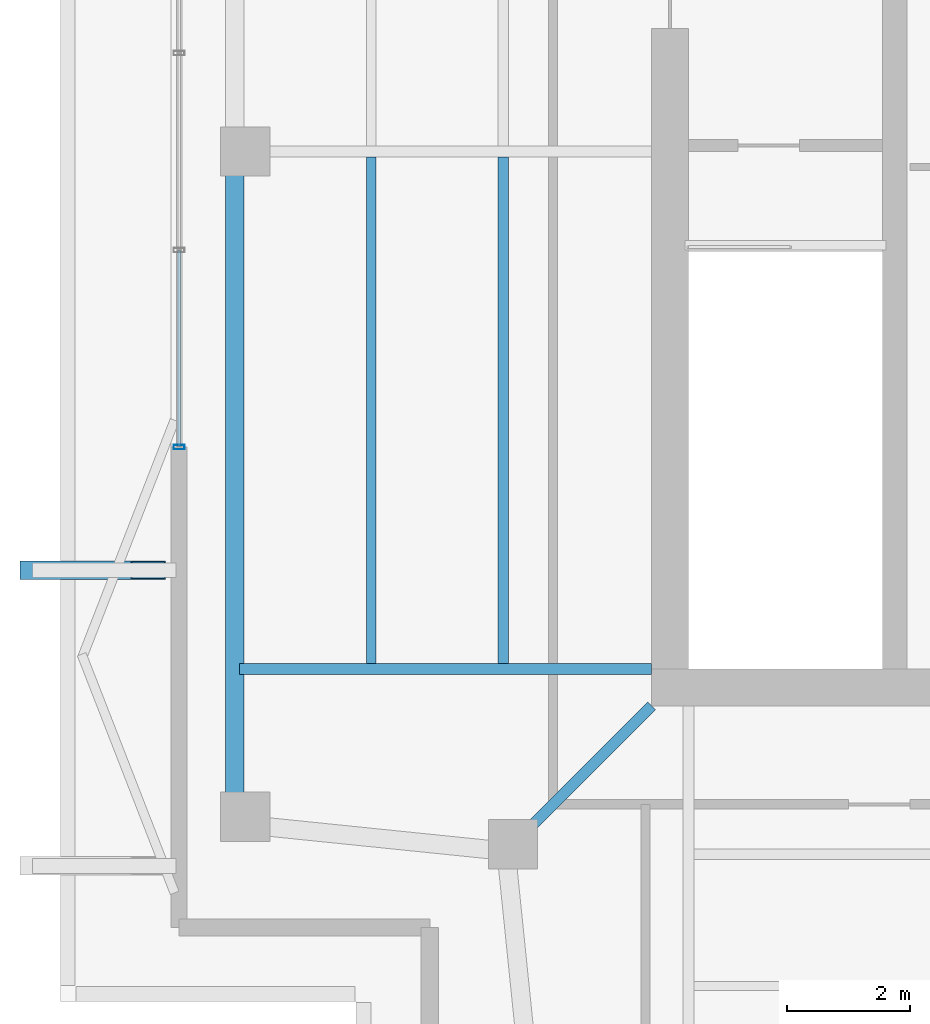
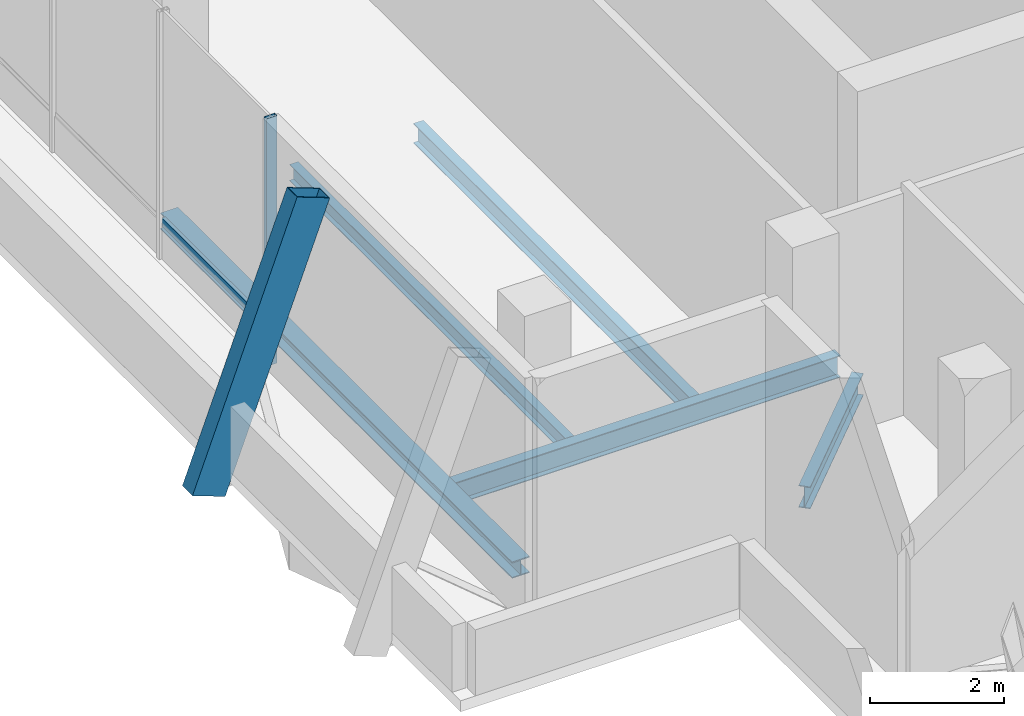
# One storey, part 3 of 15: 5 beams, 3 members, 1 element without a shape of its own.
"""IFC4 building model written with IfcOpenShell, lengths in metres."""

from ifc_helpers import new_model, si_unit, direction, frame, origin, origin_2d, place, context, subcontext, project, spatial, hollow_rectangle, i_section, extrude, material, layer, layer_set, material_profile, profile_set, type_object, element, aggregate, save


model = new_model("IFC4")

# Units and contexts
model_context = context("Model", 3, precision=1e-05, world=origin(), true_north=direction((0.0, 1.0)))
body_context = subcontext(model_context, "Body", "Model", "MODEL_VIEW")
ifc_project = project(units=[si_unit("LENGTHUNIT", "METRE"), si_unit("AREAUNIT", "SQUARE_METRE"), si_unit("VOLUMEUNIT", "CUBIC_METRE"), si_unit("PLANEANGLEUNIT", "RADIAN"), si_unit("MASSUNIT", "GRAM", prefix="KILO")], contexts=[model_context])

# Site, building, storey
site_placement = place(None, origin())
site = spatial("IfcSite", under=ifc_project, at=site_placement, CompositionType="ELEMENT")
building_placement = place(site_placement, origin())
building = spatial("IfcBuilding", under=site, at=building_placement, Name="Belovzor Exchange Tower", CompositionType="ELEMENT")
storey_placement = place(building_placement, frame((0.0, 0.0, 373.800048828125)))
storey = spatial("IfcBuildingStorey", under=building, at=storey_placement, Name="L93", CompositionType="ELEMENT", Elevation=373.800048828125)

# Beams
ifc_material_1 = material(Name="Steel S355", Category="steel")
ifc_material_profile_1 = material_profile(ifc_material_1, i_section(OverallWidth=0.300048828125, OverallDepth=0.300048828125, WebThickness=0.010986328125, FlangeThickness=0.01904296875, at=origin_2d()))
ifc_profile_set_1 = profile_set([ifc_material_profile_1], Name="Steel S355")
beam_type_1 = type_object("IfcBeamType", Name="Crown Plant Primary Beam HEB 300", PredefinedType="BEAM", material=ifc_profile_set_1)
beam_1_placement = place(storey_placement, frame((13.031005859375, 28.580078125, -0.449951171875), z_axis=(0.0, -1.0, 0.0), x_axis=(1.0, 0.0, 0.0)))
element("IfcBeam", 1, at=beam_1_placement, inside=storey, type_object=beam_type_1, Name="FG-CR Crown Plant Primary Beam HEB 300", PredefinedType="BEAM", context=body_context, shape_type="SweptSolid", body=[
    extrude(i_section(OverallWidth=0.300048828125, OverallDepth=0.300048828125, WebThickness=0.010986328125, FlangeThickness=0.01904296875, at=origin_2d()), origin(), (0.0, 0.0, 1.0), 10.47216796875),
])
ifc_material_2 = material(Name="Steel S355", Category="steel")
ifc_material_profile_2 = material_profile(ifc_material_2, i_section(OverallWidth=0.169921875, OverallDepth=0.360107421875, WebThickness=0.008056640625, FlangeThickness=0.0126953125, at=origin_2d()))
ifc_profile_set_2 = profile_set([ifc_material_profile_2], Name="Steel S355")
beam_type_2 = type_object("IfcBeamType", Name="Secondary Infill Floor Joist IPE 360", PredefinedType="BEAM", material=ifc_profile_set_2)
beam_2_placement = place(storey_placement, frame((17.389892578125, 20.489990234375, -0.47998046875), z_axis=(0.0, 1.0, 0.0), x_axis=(-1.0, 0.0, 0.0)))
element("IfcBeam", 2, at=beam_2_placement, inside=storey, type_object=beam_type_2, Name="FJ-360 Secondary Infill Floor Joist IPE 360", PredefinedType="BEAM", context=body_context, shape_type="SweptSolid", body=[
    extrude(i_section(OverallWidth=0.169921875, OverallDepth=0.360107421875, WebThickness=0.008056640625, FlangeThickness=0.0126953125, at=origin_2d()), origin(), (0.0, 0.0, 1.0), 8.219970703125),
])
ifc_material_3 = material(Name="Steel S355", Category="steel")
ifc_material_profile_3 = material_profile(ifc_material_3, i_section(OverallWidth=0.14990234375, OverallDepth=0.300048828125, WebThickness=0.007080078125, FlangeThickness=0.0107421875, at=origin_2d()))
ifc_profile_set_3 = profile_set([ifc_material_profile_3], Name="Steel S355")
beam_type_3 = type_object("IfcBeamType", Name="Secondary Trim Floor Joist IPE 300", PredefinedType="BEAM", material=ifc_profile_set_3)
beam_3_placement = place(storey_placement, frame((15.248046875, 20.489990234375, -0.449951171875), z_axis=(0.0, 1.0, 0.0), x_axis=(-1.0, 0.0, 0.0)))
element("IfcBeam", 3, at=beam_3_placement, inside=storey, type_object=beam_type_3, Name="FJ-300 Secondary Trim Floor Joist IPE 300", PredefinedType="BEAM", context=body_context, shape_type="SweptSolid", body=[
    extrude(i_section(OverallWidth=0.14990234375, OverallDepth=0.300048828125, WebThickness=0.007080078125, FlangeThickness=0.0107421875, at=origin_2d()), origin(), (0.0, 0.0, 1.0), 8.219970703125),
])

# Curtain wall, members
ifc_material_4 = material(Name="Anodised Aluminium Framing", Category="aluminium")
ifc_layer = layer(ifc_material_4, 0.169921875)
ifc_layer_set = layer_set([ifc_layer], Name="Anodised Aluminium Framing")
curtain_wall_type = type_object("IfcCurtainWallType", Name="Stepped Crown Faceted Lantern Curtain Wall", PredefinedType="NOTDEFINED", material=ifc_layer_set)
curtain_wall_placement = place(storey_placement, origin())
curtain_wall = element("IfcCurtainWall", 4, at=curtain_wall_placement, inside=storey, type_object=curtain_wall_type, Name="CW6 Stepped Crown Faceted Lantern Curtain Wall L93", PredefinedType="NOTDEFINED")
ifc_material_5 = material(Name="Steel S355", Category="steel")
ifc_material_profile_4 = material_profile(ifc_material_5, hollow_rectangle(XDim=0.074951171875, YDim=0.179931640625, WallThickness=0.0048828125, at=origin_2d()))
ifc_profile_set_4 = profile_set([ifc_material_profile_4], Name="Steel S355")
member_type_1 = type_object("IfcMemberType", Name="Thermally Broken Curtain Wall Mullion 180x75", PredefinedType="MULLION", material=ifc_profile_set_4)
member_1_placement = place(storey_placement, frame((12.1298828125, 24.0, 0.0), z_axis=(0.0, 0.0, 1.0), x_axis=(0.0, 1.0, 0.0)))
member_1 = element("IfcMember", 5, at=member_1_placement, type_object=member_type_1, Name="CW-M180 Curtain Wall Mullion 1", PredefinedType="MULLION", context=body_context, shape_type="SweptSolid", body=[
    extrude(hollow_rectangle(XDim=0.074951171875, YDim=0.179931640625, WallThickness=0.0048828125, at=origin_2d()), origin(), (0.0, 0.0, 1.0), 4.5),
])
ifc_material_6 = material(Name="Steel S355", Category="steel")
ifc_material_profile_5 = material_profile(ifc_material_6, hollow_rectangle(XDim=0.06005859375, YDim=0.14990234375, WallThickness=0.00390625, at=origin_2d()))
ifc_profile_set_5 = profile_set([ifc_material_profile_5], Name="Steel S355")
member_type_2 = type_object("IfcMemberType", Name="Thermally Broken Curtain Wall Transom 150x60", PredefinedType="USERDEFINED", material=ifc_profile_set_5)
member_2_placement = place(storey_placement, frame((12.1298828125, 24.008056640625, 0.64990234375), z_axis=(0.0, 1.0, 0.0), x_axis=(-1.0, 0.0, 0.0)))
member_2 = element("IfcMember", 6, at=member_2_placement, type_object=member_type_2, Name="CW-T150 Curtain Wall Transom 1", ObjectType="TRANSOM", PredefinedType="USERDEFINED", context=body_context, shape_type="SweptSolid", body=[
    extrude(hollow_rectangle(XDim=0.06005859375, YDim=0.14990234375, WallThickness=0.00390625, at=origin_2d()), origin(), (0.0, 0.0, 1.0), 3.183837890625),
])
aggregate(curtain_wall, [member_1, member_2])

# Member
ifc_material_7 = material(Name="Extruded Architectural Terracotta on Steel S355 Carrier", Category="masonry")
ifc_material_profile_6 = material_profile(ifc_material_7, hollow_rectangle(XDim=0.300048828125, YDim=0.60009765625, WallThickness=0.01611328125, at=origin_2d()))
ifc_profile_set_6 = profile_set([ifc_material_profile_6], Name="Extruded Architectural Terracotta on Steel S355 Carrier")
member_type_3 = type_object("IfcMemberType", Name="Upper Crown Terracotta Fin Assembly 550", PredefinedType="USERDEFINED", material=ifc_profile_set_6)
member_3_placement = place(storey_placement, frame((9.824951171875, 22.0, -0.300048828125), z_axis=(0.351128660605, 0.0, 0.936327220421), x_axis=(0.0, 1.0, 0.0)))
element("IfcMember", 7, at=member_3_placement, inside=storey, type_object=member_type_3, Name="FIN-TC055 Terracotta Facade Fin L93 W2", ObjectType="FIN", PredefinedType="USERDEFINED", context=body_context, shape_type="SweptSolid", body=[
    extrude(hollow_rectangle(XDim=0.300048828125, YDim=0.60009765625, WallThickness=0.01611328125, at=origin_2d()), origin(), (0.0, 0.0, 1.0), 5.12646484375),
])

# Beams
ifc_material_8 = material(Name="Steel S355", Category="steel")
ifc_material_profile_7 = material_profile(ifc_material_8, i_section(OverallWidth=0.179931640625, OverallDepth=0.39990234375, WebThickness=0.008544921875, FlangeThickness=0.013427734375, at=origin_2d()))
ifc_profile_set_7 = profile_set([ifc_material_profile_7], Name="Steel S355")
beam_type_4 = type_object("IfcBeamType", Name="Zone 5-6 Radial Composite Floor Beam IPE 400", PredefinedType="BEAM", material=ifc_profile_set_7)
beam_4_placement = place(storey_placement, frame((19.800048828125, 20.39990234375, -0.5), z_axis=(-1.0, 0.0, 0.0), x_axis=(0.0, -1.0, 0.0)))
element("IfcBeam", 8, at=beam_4_placement, inside=storey, type_object=beam_type_4, Name="FB-400 Zone 5-6 Radial Composite Floor Beam IPE 400", PredefinedType="BEAM", context=body_context, shape_type="SweptSolid", body=[
    extrude(i_section(OverallWidth=0.179931640625, OverallDepth=0.39990234375, WebThickness=0.008544921875, FlangeThickness=0.013427734375, at=origin_2d()), origin(), (0.0, 0.0, 1.0), 6.694091796875),
])
beam_5_placement = place(storey_placement, frame((19.800048828125, 19.800048828125, -0.5), z_axis=(-0.707106781187, -0.707106781187, 0.0), x_axis=(0.707106781187, -0.707106781187, 0.0)))
element("IfcBeam", 9, at=beam_5_placement, inside=storey, type_object=beam_type_4, Name="FB-400 Zone 5-6 Radial Composite Floor Beam IPE 400", PredefinedType="BEAM", context=body_context, shape_type="SweptSolid", body=[
    extrude(i_section(OverallWidth=0.179931640625, OverallDepth=0.39990234375, WebThickness=0.008544921875, FlangeThickness=0.013427734375, at=origin_2d()), origin(), (0.0, 0.0, 1.0), 3.0576171875),
])

save(model, "model.ifc")
